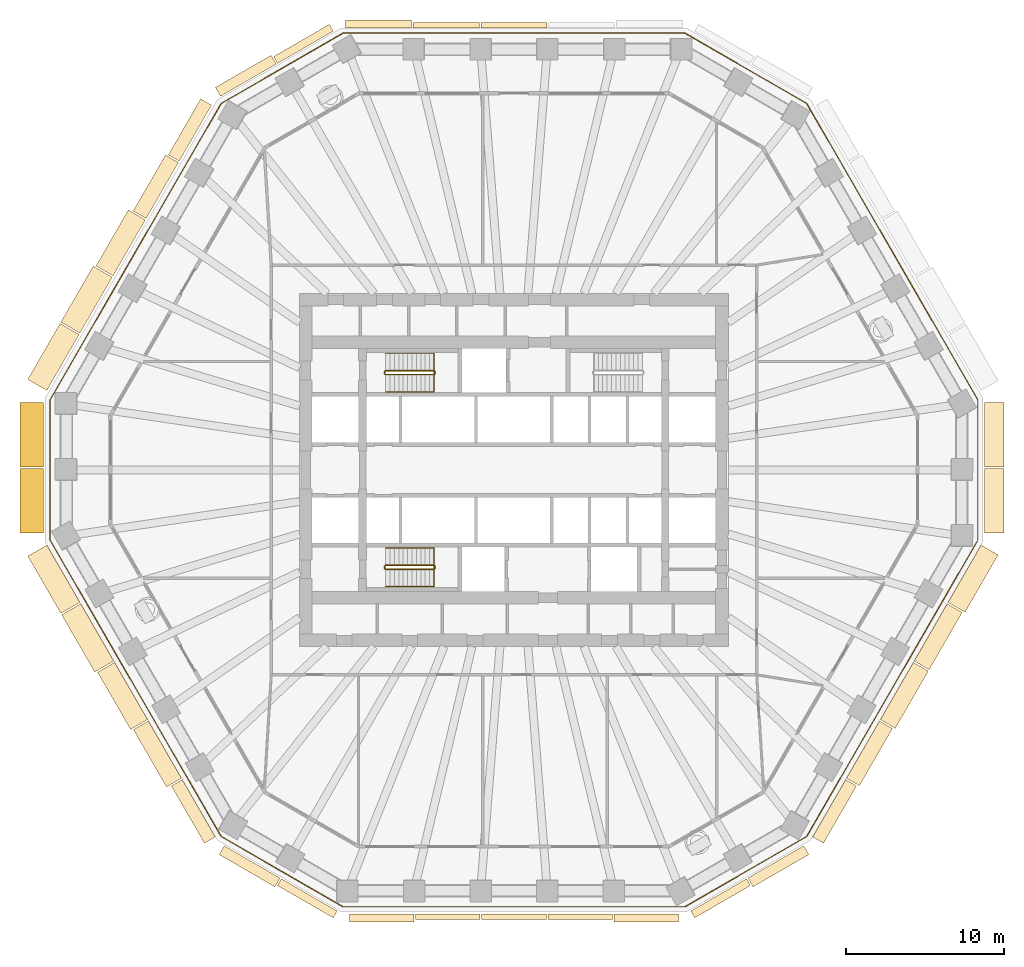
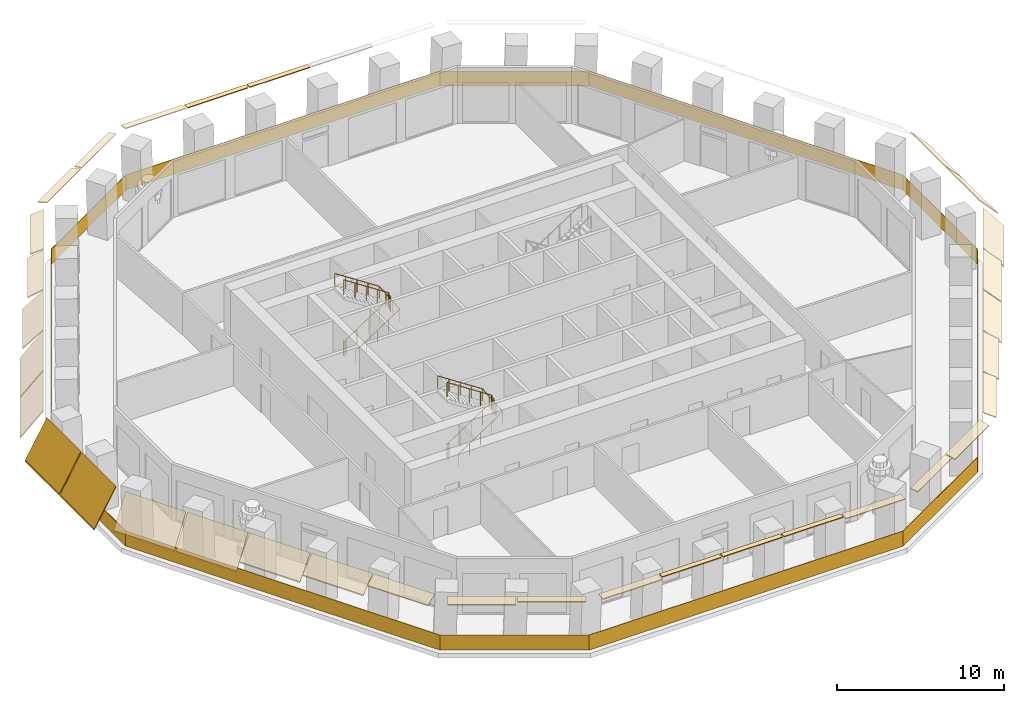
# One storey, part 9 of 12: 33 coverings, 5 railings.
"""IFC4 building model written with IfcOpenShell, lengths in metres."""

from ifc_helpers import new_model, si_unit, direction, frame, origin, origin_2d, place, context, subcontext, project, spatial, polyline, rectangle, circle, outline, extrude, material, layer, layer_set, type_object, element, save


model = new_model("IFC4")

# Units and contexts
model_context = context("Model", 3, precision=1e-05, world=origin(), true_north=direction((0.0, 1.0)))
body_context = subcontext(model_context, "Body", "Model", "MODEL_VIEW")
ifc_project = project(units=[si_unit("LENGTHUNIT", "METRE"), si_unit("AREAUNIT", "SQUARE_METRE"), si_unit("VOLUMEUNIT", "CUBIC_METRE"), si_unit("PLANEANGLEUNIT", "RADIAN"), si_unit("MASSUNIT", "GRAM", prefix="KILO")], contexts=[model_context])

# Site, building, storey
site_placement = place(None, origin())
site = spatial("IfcSite", under=ifc_project, at=site_placement, CompositionType="ELEMENT")
building_placement = place(site_placement, origin())
building = spatial("IfcBuilding", under=site, at=building_placement, Name="Frailejon Research Tower", CompositionType="ELEMENT")
storey_placement = place(building_placement, frame((0.0, 0.0, 80.800048828125)))
storey = spatial("IfcBuildingStorey", under=building, at=storey_placement, Name="L17", CompositionType="ELEMENT", Elevation=80.800048828125)

# Coverings
ifc_material_1 = material(Name="Precast concrete C50/60", Category="concrete")
ifc_layer_1 = layer(ifc_material_1, 0.06005859375)
ifc_layer_set_1 = layer_set([ifc_layer_1], Name="Brim blade depth 1100")
covering_type_1 = type_object("IfcCoveringType", Name="Brim blade depth 1100", PredefinedType="CLADDING", material=ifc_layer_set_1)
for number, where, z_axis, x_axis, name in (
    (1, (-21.09521484375, -19.56201171875, 4.25), (-0.499997171044, 0.866027037077, 0.0), (-0.866027037077, -0.499997171044, 0.0), "Brim blade L17"),
    (2, (25.3408203125, -12.208251953125, 4.25), (-0.50000725073, -0.866021217533, 0.0), (0.866021217533, -0.50000725073, 0.0), "Brim blade L17"),
    (3, (27.48876953125, -8.48779296875, 4.25), (-0.499997171044, -0.866027037077, 0.0), (0.866027037077, -0.499997171044, 0.0), "Brim blade L17"),
):
    element("IfcCovering", number, at=place(storey_placement, frame(where, z_axis=z_axis, x_axis=x_axis)), inside=storey, type_object=covering_type_1, Name=name, PredefinedType="CLADDING", context=body_context, shape_type="SweptSolid", body=[
        extrude(outline(polyline([(0.0, -0.078369140625), (1.10009765625, -1.001220703125), (1.10009765625, -0.923095703125), (0.0, 0.0), (0.0, -0.078369140625)])), origin(), (0.0, 0.0, 1.0), 4.19580078125),
    ])
ifc_material_2 = material(Name="Precast concrete C50/60", Category="concrete")
ifc_layer_2 = layer(ifc_material_2, 0.06005859375)
ifc_layer_set_2 = layer_set([ifc_layer_2], Name="Brim blade depth 1250")
covering_type_2 = type_object("IfcCoveringType", Name="Brim blade depth 1250", PredefinedType="CLADDING", material=ifc_layer_set_2)
covering_1_placement = place(storey_placement, frame((29.842529296875, 0.08837890625, 4.25), z_axis=(0.0, -1.0, 0.0), x_axis=(1.0, 0.0, 0.0)))
element("IfcCovering", 4, at=covering_1_placement, inside=storey, type_object=covering_type_2, Name="Brim blade L17", PredefinedType="CLADDING", context=body_context, shape_type="SweptSolid", body=[
    extrude(outline(polyline([(0.0, -0.0888671875), (1.25, -1.452880859375), (1.25, -1.364013671875), (0.0, 0.0), (0.0, -0.0888671875)])), origin(), (0.0, 0.0, 1.0), 4.087646484375),
])
covering_2_placement = place(storey_placement, frame((29.842529296875, 4.27587890625, 4.25), z_axis=(0.0, -1.0, 0.0), x_axis=(1.0, 0.0, 0.0)))
element("IfcCovering", 5, at=covering_2_placement, inside=storey, type_object=covering_type_2, Name="Brim blade L17", PredefinedType="CLADDING", context=body_context, shape_type="SweptSolid", body=[
    extrude(outline(polyline([(0.0, -0.0888671875), (1.25, -1.452880859375), (1.25, -1.364013671875), (0.0, 0.0), (0.0, -0.0888671875)])), origin(), (0.0, 0.0, 1.0), 4.08740234375),
])
covering_3_placement = place(storey_placement, frame((-25.436767578125, 12.31884765625, 4.25), z_axis=(0.500000690179, 0.866025005309, 0.0), x_axis=(-0.866025005309, 0.500000690179, 0.0)))
element("IfcCovering", 6, at=covering_3_placement, inside=storey, type_object=covering_type_2, Name="Brim blade L17", PredefinedType="CLADDING", context=body_context, shape_type="SweptSolid", body=[
    extrude(outline(polyline([(0.0, -0.0888671875), (1.25, -1.452880859375), (1.25, -1.364013671875), (0.0, 0.0), (0.0, -0.0888671875)])), origin(), (0.0, 0.0, 1.0), 4.10009765625),
])
for number, where, z_axis, x_axis, name in (
    (7, (-23.242919921875, -15.841796875, 4.25), (-0.50000725073, 0.866021217533, 0.0), (-0.866021217533, -0.50000725073, 0.0), "Brim blade L17"),
    (8, (29.63671875, -4.767578125, 4.25), (-0.499997171044, -0.866027037077, 0.0), (0.866027037077, -0.499997171044, 0.0), "Brim blade L17"),
):
    element("IfcCovering", number, at=place(storey_placement, frame(where, z_axis=z_axis, x_axis=x_axis)), inside=storey, type_object=covering_type_2, Name=name, PredefinedType="CLADDING", context=body_context, shape_type="SweptSolid", body=[
        extrude(outline(polyline([(0.0, -0.0888671875), (1.25, -1.452880859375), (1.25, -1.364013671875), (0.0, 0.0), (0.0, -0.0888671875)])), origin(), (0.0, 0.0, 1.0), 4.19580078125),
    ])
ifc_material_3 = material(Name="Precast concrete C50/60", Category="concrete")
ifc_layer_3 = layer(ifc_material_3, 0.06005859375)
ifc_layer_set_3 = layer_set([ifc_layer_3], Name="Brim blade depth 1400")
covering_type_3 = type_object("IfcCoveringType", Name="Brim blade depth 1400", PredefinedType="CLADDING", material=ifc_layer_set_3)
for number, where, z_axis, x_axis, name in (
    (9, (-27.53662109375, 8.681396484375, 4.25), (0.500000690179, 0.866025005309, 0.0), (-0.866025005309, 0.500000690179, 0.0), "Brim blade L17"),
    (10, (-29.63671875, 5.044189453125, 4.25), (0.499990381106, 0.866030957184, 0.0), (-0.866030957184, 0.499990381106, 0.0), "Brim blade L17"),
):
    element("IfcCovering", number, at=place(storey_placement, frame(where, z_axis=z_axis, x_axis=x_axis)), inside=storey, type_object=covering_type_3, Name=name, PredefinedType="CLADDING", context=body_context, shape_type="SweptSolid", body=[
        extrude(outline(polyline([(0.0, -0.1044921875), (1.39990234375, -2.10400390625), (1.39990234375, -1.99951171875), (0.0, 0.0), (0.0, -0.1044921875)])), origin(), (0.0, 0.0, 1.0), 4.10009765625),
    ])
for number, where, z_axis, x_axis, name in (
    (11, (-27.538818359375, -8.4013671875, 4.25), (-0.499997171044, 0.866027037077, 0.0), (-0.866027037077, -0.499997171044, 0.0), "Brim blade L17"),
    (12, (-25.390869140625, -12.12158203125, 4.25), (-0.499997171044, 0.866027037077, 0.0), (-0.866027037077, -0.499997171044, 0.0), "Brim blade L17"),
):
    element("IfcCovering", number, at=place(storey_placement, frame(where, z_axis=z_axis, x_axis=x_axis)), inside=storey, type_object=covering_type_3, Name=name, PredefinedType="CLADDING", context=body_context, shape_type="SweptSolid", body=[
        extrude(outline(polyline([(0.0, -0.1044921875), (1.39990234375, -2.10400390625), (1.39990234375, -1.99951171875), (0.0, 0.0), (0.0, -0.1044921875)])), origin(), (0.0, 0.0, 1.0), 4.19580078125),
    ])
ifc_material_4 = material(Name="Precast concrete C50/60", Category="concrete")
ifc_layer_4 = layer(ifc_material_4, 0.06005859375)
ifc_layer_set_4 = layer_set([ifc_layer_4], Name="Brim blade depth 1500")
covering_type_4 = type_object("IfcCoveringType", Name="Brim blade depth 1500", PredefinedType="CLADDING", material=ifc_layer_set_4)
covering_4_placement = place(storey_placement, frame((-29.842529296875, 0.188232421875, 4.25), z_axis=(0.0, 1.0, 0.0), x_axis=(-1.0, 0.0, 0.0)))
element("IfcCovering", 13, at=covering_4_placement, inside=storey, type_object=covering_type_4, Name="Brim blade L17", PredefinedType="CLADDING", context=body_context, shape_type="SweptSolid", body=[
    extrude(outline(polyline([(0.0, -0.1201171875), (1.5, -2.718017578125), (1.5, -2.59814453125), (0.0, 0.0), (0.0, -0.1201171875)])), origin(), (0.0, 0.0, 1.0), 4.08740234375),
])
covering_5_placement = place(storey_placement, frame((-29.842529296875, -3.999267578125, 4.25), z_axis=(0.0, 1.0, 0.0), x_axis=(-1.0, 0.0, 0.0)))
element("IfcCovering", 14, at=covering_5_placement, inside=storey, type_object=covering_type_4, Name="Brim blade L17", PredefinedType="CLADDING", context=body_context, shape_type="SweptSolid", body=[
    extrude(outline(polyline([(0.0, -0.1201171875), (1.5, -2.718017578125), (1.5, -2.59814453125), (0.0, 0.0), (0.0, -0.1201171875)])), origin(), (0.0, 0.0, 1.0), 4.087646484375),
])
ifc_material_5 = material(Name="Precast concrete C50/60", Category="concrete")
ifc_layer_5 = layer(ifc_material_5, 0.06005859375)
ifc_layer_set_5 = layer_set([ifc_layer_5], Name="Brim blade depth 350")
covering_type_5 = type_object("IfcCoveringType", Name="Brim blade depth 350", PredefinedType="CLADDING", material=ifc_layer_set_5)
for number, where, z_axis, x_axis, name in (
    (15, (-2.097900390625, 28.050048828125, 4.25), (1.0, 0.0, 0.0), (0.0, 1.0, 0.0), "Brim blade L17"),
    (16, (-6.393798828125, 28.050048828125, 4.25), (1.0, 0.0, 0.0), (0.0, 1.0, 0.0), "Brim blade L17"),
):
    element("IfcCovering", number, at=place(storey_placement, frame(where, z_axis=z_axis, x_axis=x_axis)), inside=storey, type_object=covering_type_5, Name=name, PredefinedType="CLADDING", context=body_context, shape_type="SweptSolid", body=[
        extrude(outline(polyline([(0.0, -0.06005859375), (0.35009765625, -0.06005859375), (0.35009765625, 0.0), (0.0, 0.0), (0.0, -0.06005859375)])), origin(), (0.0, 0.0, 1.0), 4.19580078125),
    ])
for number, where, z_axis, x_axis, name in (
    (17, (-2.14990234375, -28.188232421875, 4.25), (-1.0, 0.0, 0.0), (0.0, -1.0, 0.0), "Brim blade L17"),
    (18, (2.050048828125, -28.188232421875, 4.25), (-1.0, 0.0, 0.0), (0.0, -1.0, 0.0), "Brim blade L17"),
    (19, (6.25, -28.188232421875, 4.25), (-1.0, 0.0, 0.0), (0.0, -1.0, 0.0), "Brim blade L17"),
):
    element("IfcCovering", number, at=place(storey_placement, frame(where, z_axis=z_axis, x_axis=x_axis)), inside=storey, type_object=covering_type_5, Name=name, PredefinedType="CLADDING", context=body_context, shape_type="SweptSolid", body=[
        extrude(outline(polyline([(0.0, -0.06005859375), (0.35009765625, -0.06005859375), (0.35009765625, 0.0), (0.0, 0.0), (0.0, -0.06005859375)])), origin(), (0.0, 0.0, 1.0), 4.10009765625),
    ])
ifc_material_6 = material(Name="Precast concrete C50/60", Category="concrete")
ifc_layer_6 = layer(ifc_material_6, 0.06005859375)
ifc_layer_set_6 = layer_set([ifc_layer_6], Name="Brim blade depth 500")
covering_type_6 = type_object("IfcCoveringType", Name="Brim blade depth 500", PredefinedType="CLADDING", material=ifc_layer_set_6)
covering_6_placement = place(storey_placement, frame((-10.689453125, 28.050048828125, 4.25), z_axis=(1.0, 0.0, 0.0), x_axis=(0.0, 1.0, 0.0)))
element("IfcCovering", 20, at=covering_6_placement, inside=storey, type_object=covering_type_6, Name="Brim blade L17", PredefinedType="CLADDING", context=body_context, shape_type="SweptSolid", body=[
    extrude(outline(polyline([(0.0, -0.060546875), (0.5, -0.130859375), (0.5, -0.0703125), (0.0, 0.0), (0.0, -0.060546875)])), origin(), (0.0, 0.0, 1.0), 4.19580078125),
])
for number, where, z_axis, x_axis, name in (
    (21, (-14.997802734375, 25.80029296875, 4.25), (0.866027315287, 0.499996689166, 0.0), (-0.499996689166, 0.866027315287, 0.0), "Brim blade L17"),
    (22, (-11.21826171875, -27.982421875, 4.25), (-0.866027315287, 0.499996689166, 0.0), (-0.499996689166, -0.866027315287, 0.0), "Brim blade L17"),
):
    element("IfcCovering", number, at=place(storey_placement, frame(where, z_axis=z_axis, x_axis=x_axis)), inside=storey, type_object=covering_type_6, Name=name, PredefinedType="CLADDING", context=body_context, shape_type="SweptSolid", body=[
        extrude(outline(polyline([(0.0, -0.060546875), (0.5, -0.130859375), (0.5, -0.0703125), (0.0, 0.0), (0.0, -0.060546875)])), origin(), (0.0, 0.0, 1.0), 4.087646484375),
    ])
for number, where, z_axis, x_axis, name in (
    (23, (-6.35009765625, -28.188232421875, 4.25), (-1.0, 0.0, 0.0), (0.0, -1.0, 0.0), "Brim blade L17"),
    (24, (10.449951171875, -28.188232421875, 4.25), (-1.0, 0.0, 0.0), (0.0, -1.0, 0.0), "Brim blade L17"),
):
    element("IfcCovering", number, at=place(storey_placement, frame(where, z_axis=z_axis, x_axis=x_axis)), inside=storey, type_object=covering_type_6, Name=name, PredefinedType="CLADDING", context=body_context, shape_type="SweptSolid", body=[
        extrude(outline(polyline([(0.0, -0.060546875), (0.5, -0.130859375), (0.5, -0.0703125), (0.0, 0.0), (0.0, -0.060546875)])), origin(), (0.0, 0.0, 1.0), 4.10009765625),
    ])
covering_7_placement = place(storey_placement, frame((14.75830078125, -25.938720703125, 4.25), z_axis=(-0.866027315287, -0.499996689166, 0.0), x_axis=(0.499996689166, -0.866027315287, 0.0)))
element("IfcCovering", 25, at=covering_7_placement, inside=storey, type_object=covering_type_6, Name="Brim blade L17", PredefinedType="CLADDING", context=body_context, shape_type="SweptSolid", body=[
    extrude(outline(polyline([(0.0, -0.060546875), (0.5, -0.130859375), (0.5, -0.0703125), (0.0, 0.0), (0.0, -0.060546875)])), origin(), (0.0, 0.0, 1.0), 4.087646484375),
])
ifc_material_7 = material(Name="Precast concrete C50/60", Category="concrete")
ifc_layer_7 = layer(ifc_material_7, 0.06005859375)
ifc_layer_set_7 = layer_set([ifc_layer_7], Name="Brim blade depth 650")
covering_type_7 = type_object("IfcCoveringType", Name="Brim blade depth 650", PredefinedType="CLADDING", material=ifc_layer_set_7)
for number, where, z_axis, x_axis, name in (
    (26, (-18.624267578125, 23.70654296875, 4.25), (0.866021344981, 0.500007029989, 0.0), (-0.500007029989, 0.866021344981, 0.0), "Brim blade L17"),
    (27, (-14.844970703125, -25.888671875, 4.25), (-0.866021344981, 0.500007029989, 0.0), (-0.500007029989, -0.866021344981, 0.0), "Brim blade L17"),
    (28, (18.384765625, -23.8447265625, 4.25), (-0.866021344981, -0.500007029989, 0.0), (0.500007029989, -0.866021344981, 0.0), "Brim blade L17"),
):
    element("IfcCovering", number, at=place(storey_placement, frame(where, z_axis=z_axis, x_axis=x_axis)), inside=storey, type_object=covering_type_7, Name=name, PredefinedType="CLADDING", context=body_context, shape_type="SweptSolid", body=[
        extrude(outline(polyline([(0.0, -0.0625), (0.64990234375, -0.248779296875), (0.64990234375, -0.186279296875), (0.0, 0.0), (0.0, -0.0625)])), origin(), (0.0, 0.0, 1.0), 4.08740234375),
    ])
ifc_material_8 = material(Name="Precast concrete C50/60", Category="concrete")
ifc_layer_8 = layer(ifc_material_8, 0.06005859375)
ifc_layer_set_8 = layer_set([ifc_layer_8], Name="Brim blade depth 800")
covering_type_8 = type_object("IfcCoveringType", Name="Brim blade depth 800", PredefinedType="CLADDING", material=ifc_layer_set_8)
covering_8_placement = place(storey_placement, frame((-21.23681640625, 19.593505859375, 4.25), z_axis=(0.500000690179, 0.866025005309, 0.0), x_axis=(-0.866025005309, 0.500000690179, 0.0)))
element("IfcCovering", 29, at=covering_8_placement, inside=storey, type_object=covering_type_8, Name="Brim blade L17", PredefinedType="CLADDING", context=body_context, shape_type="SweptSolid", body=[
    extrude(outline(polyline([(0.0, -0.065673828125), (0.800048828125, -0.421875), (0.800048828125, -0.356201171875), (0.0, 0.0), (0.0, -0.065673828125)])), origin(), (0.0, 0.0, 1.0), 4.10009765625),
])
for number, where, z_axis, x_axis, name in (
    (30, (-18.947265625, -23.282470703125, 4.25), (-0.499997171044, 0.866027037077, 0.0), (-0.866027037077, -0.499997171044, 0.0), "Brim blade L17"),
    (31, (21.045166015625, -19.648681640625, 4.25), (-0.499997171044, -0.866027037077, 0.0), (0.866027037077, -0.499997171044, 0.0), "Brim blade L17"),
):
    element("IfcCovering", number, at=place(storey_placement, frame(where, z_axis=z_axis, x_axis=x_axis)), inside=storey, type_object=covering_type_8, Name=name, PredefinedType="CLADDING", context=body_context, shape_type="SweptSolid", body=[
        extrude(outline(polyline([(0.0, -0.065673828125), (0.800048828125, -0.421875), (0.800048828125, -0.356201171875), (0.0, 0.0), (0.0, -0.065673828125)])), origin(), (0.0, 0.0, 1.0), 4.19580078125),
    ])
ifc_material_9 = material(Name="Precast concrete C50/60", Category="concrete")
ifc_layer_9 = layer(ifc_material_9, 0.06005859375)
ifc_layer_set_9 = layer_set([ifc_layer_9], Name="Brim blade depth 950")
covering_type_9 = type_object("IfcCoveringType", Name="Brim blade depth 950", PredefinedType="CLADDING", material=ifc_layer_set_9)
covering_9_placement = place(storey_placement, frame((-23.336669921875, 15.9560546875, 4.25), z_axis=(0.500000690179, 0.866025005309, 0.0), x_axis=(-0.866025005309, 0.500000690179, 0.0)))
element("IfcCovering", 32, at=covering_9_placement, inside=storey, type_object=covering_type_9, Name="Brim blade L17", PredefinedType="CLADDING", context=body_context, shape_type="SweptSolid", body=[
    extrude(outline(polyline([(0.0, -0.07080078125), (0.949951171875, -0.664306640625), (0.949951171875, -0.593505859375), (0.0, 0.0), (0.0, -0.07080078125)])), origin(), (0.0, 0.0, 1.0), 4.10009765625),
])
covering_10_placement = place(storey_placement, frame((23.193115234375, -15.928466796875, 4.25), z_axis=(-0.499997171044, -0.866027037077, 0.0), x_axis=(0.866027037077, -0.499997171044, 0.0)))
element("IfcCovering", 33, at=covering_10_placement, inside=storey, type_object=covering_type_9, Name="Brim blade L17", PredefinedType="CLADDING", context=body_context, shape_type="SweptSolid", body=[
    extrude(outline(polyline([(0.0, -0.07080078125), (0.949951171875, -0.664306640625), (0.949951171875, -0.593505859375), (0.0, 0.0), (0.0, -0.07080078125)])), origin(), (0.0, 0.0, 1.0), 4.19580078125),
])

# Railings
ifc_material_10 = material(Name="Laminated glass balustrade", Category="glass")
railing_type_1 = type_object("IfcRailingType", Name="Glass guard 1100", PredefinedType="GUARDRAIL", material=ifc_material_10)
railing_1_placement = place(storey_placement, frame((29.427490234375, -4.45947265625, 0.0)))
element("IfcRailing", 34, at=railing_1_placement, inside=storey, type_object=railing_type_1, Name="Loggia guard L17", PredefinedType="GUARDRAIL", context=body_context, shape_type="SweptSolid", body=[
    extrude(rectangle(XDim=8.9189453125, YDim=0.030029296875, at=origin_2d()), frame((0.0, 4.45947265625, 0.0), z_axis=(0.0, 0.0, 1.0), x_axis=(0.0, 1.0, 0.0)), (0.0, 0.0, 1.0), 1.10009765625),
    extrude(rectangle(XDim=21.70361328125, YDim=0.030029296875, at=origin_2d()), frame((-5.42578125, 18.31689453125, 0.0), z_axis=(0.0, 0.0, 1.0), x_axis=(-0.499999641238, 0.866025610916, 0.0)), (0.0, 0.0, 1.0), 1.10009765625),
    extrude(rectangle(XDim=8.918701171875, YDim=0.030029296875, at=origin_2d()), frame((-14.7138671875, 29.9443359375, 0.0), z_axis=(0.0, 0.0, 1.0), x_axis=(-0.866032876802, 0.49998705613, 0.0)), (0.0, 0.0, 1.0), 1.10009765625),
    extrude(rectangle(XDim=21.70361328125, YDim=0.030029296875, at=origin_2d()), frame((-29.427490234375, 32.174072265625, 0.0), z_axis=(0.0, 0.0, 1.0), x_axis=(-1.0, 0.0, 0.0)), (0.0, 0.0, 1.0), 1.10009765625),
    extrude(rectangle(XDim=8.918701171875, YDim=0.030029296875, at=origin_2d()), frame((-44.14111328125, 29.9443359375, 0.0), z_axis=(0.0, 0.0, 1.0), x_axis=(-0.866032876802, -0.49998705613, 0.0)), (0.0, 0.0, 1.0), 1.10009765625),
    extrude(rectangle(XDim=21.70361328125, YDim=0.030029296875, at=origin_2d()), frame((-53.42919921875, 18.31689453125, 0.0), z_axis=(0.0, 0.0, 1.0), x_axis=(-0.499999641238, -0.866025610916, 0.0)), (0.0, 0.0, 1.0), 1.10009765625),
    extrude(rectangle(XDim=8.9189453125, YDim=0.030029296875, at=origin_2d()), frame((-58.85498046875, 4.45947265625, 0.0), z_axis=(0.0, 0.0, 1.0), x_axis=(0.0, -1.0, 0.0)), (0.0, 0.0, 1.0), 1.10009765625),
    extrude(rectangle(XDim=21.70361328125, YDim=0.030029296875, at=origin_2d()), frame((-53.42919921875, -9.39794921875, 0.0), z_axis=(0.0, 0.0, 1.0), x_axis=(0.499999641238, -0.866025610916, 0.0)), (0.0, 0.0, 1.0), 1.10009765625),
    extrude(rectangle(XDim=8.918701171875, YDim=0.030029296875, at=origin_2d()), frame((-44.14111328125, -21.025390625, 0.0), z_axis=(0.0, 0.0, 1.0), x_axis=(0.866032876802, -0.49998705613, 0.0)), (0.0, 0.0, 1.0), 1.10009765625),
    extrude(rectangle(XDim=21.70361328125, YDim=0.030029296875, at=origin_2d()), frame((-29.427490234375, -23.255126953125, 0.0), z_axis=(0.0, 0.0, 1.0), x_axis=(1.0, 0.0, 0.0)), (0.0, 0.0, 1.0), 1.10009765625),
    extrude(rectangle(XDim=8.918701171875, YDim=0.030029296875, at=origin_2d()), frame((-14.7138671875, -21.025390625, 0.0), z_axis=(0.0, 0.0, 1.0), x_axis=(0.866032876802, 0.49998705613, 0.0)), (0.0, 0.0, 1.0), 1.10009765625),
    extrude(rectangle(XDim=21.6337890625, YDim=0.030029296875, at=origin_2d()), frame((-5.443359375, -9.42822265625, 0.0), z_axis=(0.0, 0.0, 1.0), x_axis=(0.500001187841, 0.866024717983, 0.0)), (0.0, 0.0, 1.0), 1.10009765625),
])
ifc_material_11 = material(Name="Stainless steel", Category="steel")
railing_type_2 = type_object("IfcRailingType", Name="Stair guard 1100", PredefinedType="GUARDRAIL", material=ifc_material_11)
railing_2_placement = place(storey_placement, frame((-8.199951171875, 6.25, 0.0)))
element("IfcRailing", 35, at=railing_2_placement, inside=storey, type_object=railing_type_2, Name="L17 ST1 stair guard 1", PredefinedType="GUARDRAIL", context=body_context, shape_type="SweptSolid", body=[
    extrude(circle(Radius=0.02392578125, at=origin_2d()), frame((0.0, 0.0, 1.076171875), z_axis=(0.0, -1.0, 0.0), x_axis=(1.0, 0.0, 0.0)), (0.0, 0.0, 1.0), 0.14990234375),
    extrude(circle(Radius=0.02392578125, at=origin_2d()), frame((0.0, -0.14990234375, 1.076171875), z_axis=(0.254653276557, -0.254653276557, 0.932900539971), x_axis=(0.707106781187, 0.707106781187, 0.0)), (0.0, 0.0, 1.0), 0.196533203125),
    extrude(circle(Radius=0.02392578125, at=origin_2d()), frame((0.050048828125, -0.199951171875, 1.25927734375), z_axis=(0.836613101238, 0.0, 0.547794230379), x_axis=(0.0, 1.0, 0.0)), (0.0, 0.0, 1.0), 3.681396484375),
    extrude(circle(Radius=0.02392578125, at=origin_2d()), frame((3.1298828125, -0.199951171875, 3.27587890625), z_axis=(0.707106781187, 0.707106781187, 0.0), x_axis=(-0.707106781187, 0.707106781187, 0.0)), (0.0, 0.0, 1.0), 0.07080078125),
    extrude(circle(Radius=0.02392578125, at=origin_2d()), frame((3.179931640625, -0.14990234375, 3.27587890625), z_axis=(0.0, 1.0, 0.0), x_axis=(-1.0, 0.0, 0.0)), (0.0, 0.0, 1.0), 0.14990234375),
    extrude(circle(Radius=0.02392578125, at=origin_2d()), frame((3.179931640625, 0.0, 3.27587890625), z_axis=(-0.254653276557, 0.254653276557, 0.932900539971), x_axis=(-0.707106781187, -0.707106781187, 0.0)), (0.0, 0.0, 1.0), 0.196533203125),
    extrude(circle(Radius=0.02392578125, at=origin_2d()), frame((3.1298828125, 0.050048828125, 3.45947265625), z_axis=(-0.836613101238, 0.0, 0.547794230379), x_axis=(0.0, -1.0, 0.0)), (0.0, 0.0, 1.0), 3.681396484375),
    extrude(circle(Radius=0.02099609375, at=origin_2d()), origin(), (0.0, 0.0, 1.0), 1.052001953125),
    extrude(circle(Radius=0.02099609375, at=origin_2d()), frame((0.0, -0.14990234375, 0.0)), (0.0, 0.0, 1.0), 1.052001953125),
    extrude(circle(Radius=0.02099609375, at=origin_2d()), frame((0.050048828125, -0.199951171875, 0.183349609375)), (0.0, 0.0, 1.0), 1.052001953125),
    extrude(circle(Radius=0.02099609375, at=origin_2d()), frame((0.820068359375, -0.199951171875, 0.6875)), (0.0, 0.0, 1.0), 1.052001953125),
    extrude(circle(Radius=0.02099609375, at=origin_2d()), frame((1.58984375, -0.199951171875, 1.191650390625)), (0.0, 0.0, 1.0), 1.052001953125),
    extrude(circle(Radius=0.02099609375, at=origin_2d()), frame((2.35986328125, -0.199951171875, 1.69580078125)), (0.0, 0.0, 1.0), 1.052001953125),
    extrude(circle(Radius=0.02099609375, at=origin_2d()), frame((3.1298828125, -0.199951171875, 2.199951171875)), (0.0, 0.0, 1.0), 1.052001953125),
    extrude(circle(Radius=0.02099609375, at=origin_2d()), frame((3.179931640625, -0.14990234375, 2.199951171875)), (0.0, 0.0, 1.0), 1.052001953125),
    extrude(circle(Radius=0.02099609375, at=origin_2d()), frame((3.179931640625, 0.0, 2.199951171875)), (0.0, 0.0, 1.0), 1.052001953125),
    extrude(circle(Radius=0.02099609375, at=origin_2d()), frame((3.1298828125, 0.050048828125, 2.38330078125)), (0.0, 0.0, 1.0), 1.052001953125),
    extrude(circle(Radius=0.02099609375, at=origin_2d()), frame((2.35986328125, 0.050048828125, 2.887451171875)), (0.0, 0.0, 1.0), 1.052001953125),
    extrude(circle(Radius=0.02099609375, at=origin_2d()), frame((1.58984375, 0.050048828125, 3.3916015625)), (0.0, 0.0, 1.0), 1.052001953125),
    extrude(circle(Radius=0.02099609375, at=origin_2d()), frame((0.820068359375, 0.050048828125, 3.895751953125)), (0.0, 0.0, 1.0), 1.052001953125),
    extrude(circle(Radius=0.02099609375, at=origin_2d()), frame((0.050048828125, 0.050048828125, 4.39990234375)), (0.0, 0.0, 1.0), 1.052001953125),
])
railing_3_placement = place(storey_placement, frame((-8.199951171875, -6.10009765625, 0.0)))
element("IfcRailing", 36, at=railing_3_placement, inside=storey, type_object=railing_type_2, Name="L17 ST2 stair guard 1", PredefinedType="GUARDRAIL", context=body_context, shape_type="SweptSolid", body=[
    extrude(circle(Radius=0.02392578125, at=origin_2d()), frame((0.0, 0.0, 1.076171875), z_axis=(0.0, -1.0, 0.0), x_axis=(1.0, 0.0, 0.0)), (0.0, 0.0, 1.0), 0.14990234375),
    extrude(circle(Radius=0.02392578125, at=origin_2d()), frame((0.0, -0.14990234375, 1.076171875), z_axis=(0.254653276557, -0.254653276557, 0.932900539971), x_axis=(0.707106781187, 0.707106781187, 0.0)), (0.0, 0.0, 1.0), 0.196533203125),
    extrude(circle(Radius=0.02392578125, at=origin_2d()), frame((0.050048828125, -0.199951171875, 1.25927734375), z_axis=(0.836613101238, 0.0, 0.547794230379), x_axis=(0.0, 1.0, 0.0)), (0.0, 0.0, 1.0), 3.681396484375),
    extrude(circle(Radius=0.02392578125, at=origin_2d()), frame((3.1298828125, -0.199951171875, 3.27587890625), z_axis=(0.707106781187, 0.707106781187, 0.0), x_axis=(-0.707106781187, 0.707106781187, 0.0)), (0.0, 0.0, 1.0), 0.07080078125),
    extrude(circle(Radius=0.02392578125, at=origin_2d()), frame((3.179931640625, -0.14990234375, 3.27587890625), z_axis=(0.0, 1.0, 0.0), x_axis=(-1.0, 0.0, 0.0)), (0.0, 0.0, 1.0), 0.14990234375),
    extrude(circle(Radius=0.02392578125, at=origin_2d()), frame((3.179931640625, 0.0, 3.27587890625), z_axis=(-0.254653276557, 0.254653276557, 0.932900539971), x_axis=(-0.707106781187, -0.707106781187, 0.0)), (0.0, 0.0, 1.0), 0.196533203125),
    extrude(circle(Radius=0.02392578125, at=origin_2d()), frame((3.1298828125, 0.050048828125, 3.45947265625), z_axis=(-0.836613101238, 0.0, 0.547794230379), x_axis=(0.0, -1.0, 0.0)), (0.0, 0.0, 1.0), 3.681396484375),
    extrude(circle(Radius=0.02099609375, at=origin_2d()), origin(), (0.0, 0.0, 1.0), 1.052001953125),
    extrude(circle(Radius=0.02099609375, at=origin_2d()), frame((0.0, -0.14990234375, 0.0)), (0.0, 0.0, 1.0), 1.052001953125),
    extrude(circle(Radius=0.02099609375, at=origin_2d()), frame((0.050048828125, -0.199951171875, 0.183349609375)), (0.0, 0.0, 1.0), 1.052001953125),
    extrude(circle(Radius=0.02099609375, at=origin_2d()), frame((0.820068359375, -0.199951171875, 0.6875)), (0.0, 0.0, 1.0), 1.052001953125),
    extrude(circle(Radius=0.02099609375, at=origin_2d()), frame((1.58984375, -0.199951171875, 1.191650390625)), (0.0, 0.0, 1.0), 1.052001953125),
    extrude(circle(Radius=0.02099609375, at=origin_2d()), frame((2.35986328125, -0.199951171875, 1.69580078125)), (0.0, 0.0, 1.0), 1.052001953125),
    extrude(circle(Radius=0.02099609375, at=origin_2d()), frame((3.1298828125, -0.199951171875, 2.199951171875)), (0.0, 0.0, 1.0), 1.052001953125),
    extrude(circle(Radius=0.02099609375, at=origin_2d()), frame((3.179931640625, -0.14990234375, 2.199951171875)), (0.0, 0.0, 1.0), 1.052001953125),
    extrude(circle(Radius=0.02099609375, at=origin_2d()), frame((3.179931640625, 0.0, 2.199951171875)), (0.0, 0.0, 1.0), 1.052001953125),
    extrude(circle(Radius=0.02099609375, at=origin_2d()), frame((3.1298828125, 0.050048828125, 2.38330078125)), (0.0, 0.0, 1.0), 1.052001953125),
    extrude(circle(Radius=0.02099609375, at=origin_2d()), frame((2.35986328125, 0.050048828125, 2.887451171875)), (0.0, 0.0, 1.0), 1.052001953125),
    extrude(circle(Radius=0.02099609375, at=origin_2d()), frame((1.58984375, 0.050048828125, 3.3916015625)), (0.0, 0.0, 1.0), 1.052001953125),
    extrude(circle(Radius=0.02099609375, at=origin_2d()), frame((0.820068359375, 0.050048828125, 3.895751953125)), (0.0, 0.0, 1.0), 1.052001953125),
    extrude(circle(Radius=0.02099609375, at=origin_2d()), frame((0.050048828125, 0.050048828125, 4.39990234375)), (0.0, 0.0, 1.0), 1.052001953125),
])
ifc_material_12 = material(Name="Stainless steel", Category="steel")
railing_type_3 = type_object("IfcRailingType", Name="Stair handrail 900", PredefinedType="HANDRAIL", material=ifc_material_12)
railing_4_placement = place(storey_placement, frame((-8.14990234375, 4.949951171875, 0.183349609375)))
element("IfcRailing", 37, at=railing_4_placement, inside=storey, type_object=railing_type_3, Name="L17 ST1 stair handrail 1", PredefinedType="HANDRAIL", context=body_context, shape_type="SweptSolid", body=[
    extrude(circle(Radius=0.02392578125, at=origin_2d()), frame((0.0, 0.0, 0.8759765625), z_axis=(0.836613101238, 0.0, 0.547794230379), x_axis=(0.0, 1.0, 0.0)), (0.0, 0.0, 1.0), 3.681396484375),
    extrude(circle(Radius=0.02392578125, at=origin_2d()), frame((3.079833984375, 0.0, 2.892578125), z_axis=(0.0, 0.99721134034, 0.074629368868), x_axis=(-1.0, 0.0, 0.0)), (0.0, 0.0, 1.0), 2.456787109375),
    extrude(circle(Radius=0.02392578125, at=origin_2d()), frame((3.079833984375, 2.449951171875, 3.07568359375), z_axis=(-0.836613101238, 0.0, 0.547794230379), x_axis=(0.0, -1.0, 0.0)), (0.0, 0.0, 1.0), 3.681396484375),
    extrude(circle(Radius=0.02099609375, at=origin_2d()), origin(), (0.0, 0.0, 1.0), 0.851806640625),
    extrude(circle(Radius=0.02099609375, at=origin_2d()), frame((0.77001953125, 0.0, 0.504150390625)), (0.0, 0.0, 1.0), 0.851806640625),
    extrude(circle(Radius=0.02099609375, at=origin_2d()), frame((1.5400390625, 0.0, 1.00830078125)), (0.0, 0.0, 1.0), 0.851806640625),
    extrude(circle(Radius=0.02099609375, at=origin_2d()), frame((2.309814453125, 0.0, 1.512451171875)), (0.0, 0.0, 1.0), 0.851806640625),
    extrude(circle(Radius=0.02099609375, at=origin_2d()), frame((3.079833984375, 0.0, 2.0166015625)), (0.0, 0.0, 1.0), 0.851806640625),
    extrude(circle(Radius=0.02099609375, at=origin_2d()), frame((3.079833984375, 0.816650390625, 2.07763671875)), (0.0, 0.0, 1.0), 0.851806640625),
    extrude(circle(Radius=0.02099609375, at=origin_2d()), frame((3.079833984375, 1.63330078125, 2.138916015625)), (0.0, 0.0, 1.0), 0.851806640625),
    extrude(circle(Radius=0.02099609375, at=origin_2d()), frame((3.079833984375, 2.449951171875, 2.199951171875)), (0.0, 0.0, 1.0), 0.851806640625),
    extrude(circle(Radius=0.02099609375, at=origin_2d()), frame((2.309814453125, 2.449951171875, 2.7041015625)), (0.0, 0.0, 1.0), 0.851806640625),
    extrude(circle(Radius=0.02099609375, at=origin_2d()), frame((1.5400390625, 2.449951171875, 3.208251953125)), (0.0, 0.0, 1.0), 0.851806640625),
    extrude(circle(Radius=0.02099609375, at=origin_2d()), frame((0.77001953125, 2.449951171875, 3.71240234375)), (0.0, 0.0, 1.0), 0.851806640625),
    extrude(circle(Radius=0.02099609375, at=origin_2d()), frame((0.0, 2.449951171875, 4.216552734375)), (0.0, 0.0, 1.0), 0.851806640625),
])
railing_5_placement = place(storey_placement, frame((-8.14990234375, -7.39990234375, 0.183349609375)))
element("IfcRailing", 38, at=railing_5_placement, inside=storey, type_object=railing_type_3, Name="L17 ST2 stair handrail 1", PredefinedType="HANDRAIL", context=body_context, shape_type="SweptSolid", body=[
    extrude(circle(Radius=0.02392578125, at=origin_2d()), frame((0.0, 0.0, 0.8759765625), z_axis=(0.836613101238, 0.0, 0.547794230379), x_axis=(0.0, 1.0, 0.0)), (0.0, 0.0, 1.0), 3.681396484375),
    extrude(circle(Radius=0.02392578125, at=origin_2d()), frame((3.079833984375, 0.0, 2.892578125), z_axis=(0.0, 0.99721134034, 0.074629368868), x_axis=(-1.0, 0.0, 0.0)), (0.0, 0.0, 1.0), 2.456787109375),
    extrude(circle(Radius=0.02392578125, at=origin_2d()), frame((3.079833984375, 2.449951171875, 3.07568359375), z_axis=(-0.836613101238, 0.0, 0.547794230379), x_axis=(0.0, -1.0, 0.0)), (0.0, 0.0, 1.0), 3.681396484375),
    extrude(circle(Radius=0.02099609375, at=origin_2d()), origin(), (0.0, 0.0, 1.0), 0.851806640625),
    extrude(circle(Radius=0.02099609375, at=origin_2d()), frame((0.77001953125, 0.0, 0.504150390625)), (0.0, 0.0, 1.0), 0.851806640625),
    extrude(circle(Radius=0.02099609375, at=origin_2d()), frame((1.5400390625, 0.0, 1.00830078125)), (0.0, 0.0, 1.0), 0.851806640625),
    extrude(circle(Radius=0.02099609375, at=origin_2d()), frame((2.309814453125, 0.0, 1.512451171875)), (0.0, 0.0, 1.0), 0.851806640625),
    extrude(circle(Radius=0.02099609375, at=origin_2d()), frame((3.079833984375, 0.0, 2.0166015625)), (0.0, 0.0, 1.0), 0.851806640625),
    extrude(circle(Radius=0.02099609375, at=origin_2d()), frame((3.079833984375, 0.816650390625, 2.07763671875)), (0.0, 0.0, 1.0), 0.851806640625),
    extrude(circle(Radius=0.02099609375, at=origin_2d()), frame((3.079833984375, 1.63330078125, 2.138916015625)), (0.0, 0.0, 1.0), 0.851806640625),
    extrude(circle(Radius=0.02099609375, at=origin_2d()), frame((3.079833984375, 2.449951171875, 2.199951171875)), (0.0, 0.0, 1.0), 0.851806640625),
    extrude(circle(Radius=0.02099609375, at=origin_2d()), frame((2.309814453125, 2.449951171875, 2.7041015625)), (0.0, 0.0, 1.0), 0.851806640625),
    extrude(circle(Radius=0.02099609375, at=origin_2d()), frame((1.5400390625, 2.449951171875, 3.208251953125)), (0.0, 0.0, 1.0), 0.851806640625),
    extrude(circle(Radius=0.02099609375, at=origin_2d()), frame((0.77001953125, 2.449951171875, 3.71240234375)), (0.0, 0.0, 1.0), 0.851806640625),
    extrude(circle(Radius=0.02099609375, at=origin_2d()), frame((0.0, 2.449951171875, 4.216552734375)), (0.0, 0.0, 1.0), 0.851806640625),
])

save(model, "model.ifc")
